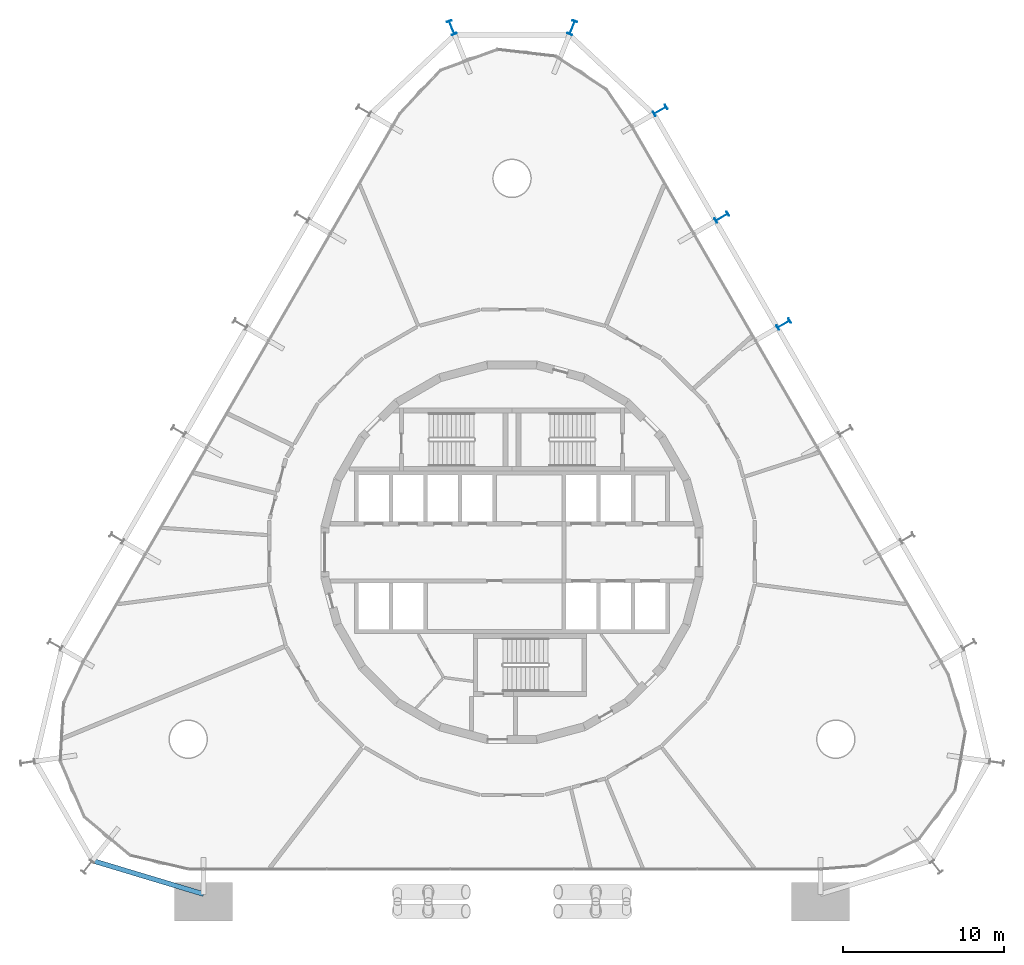
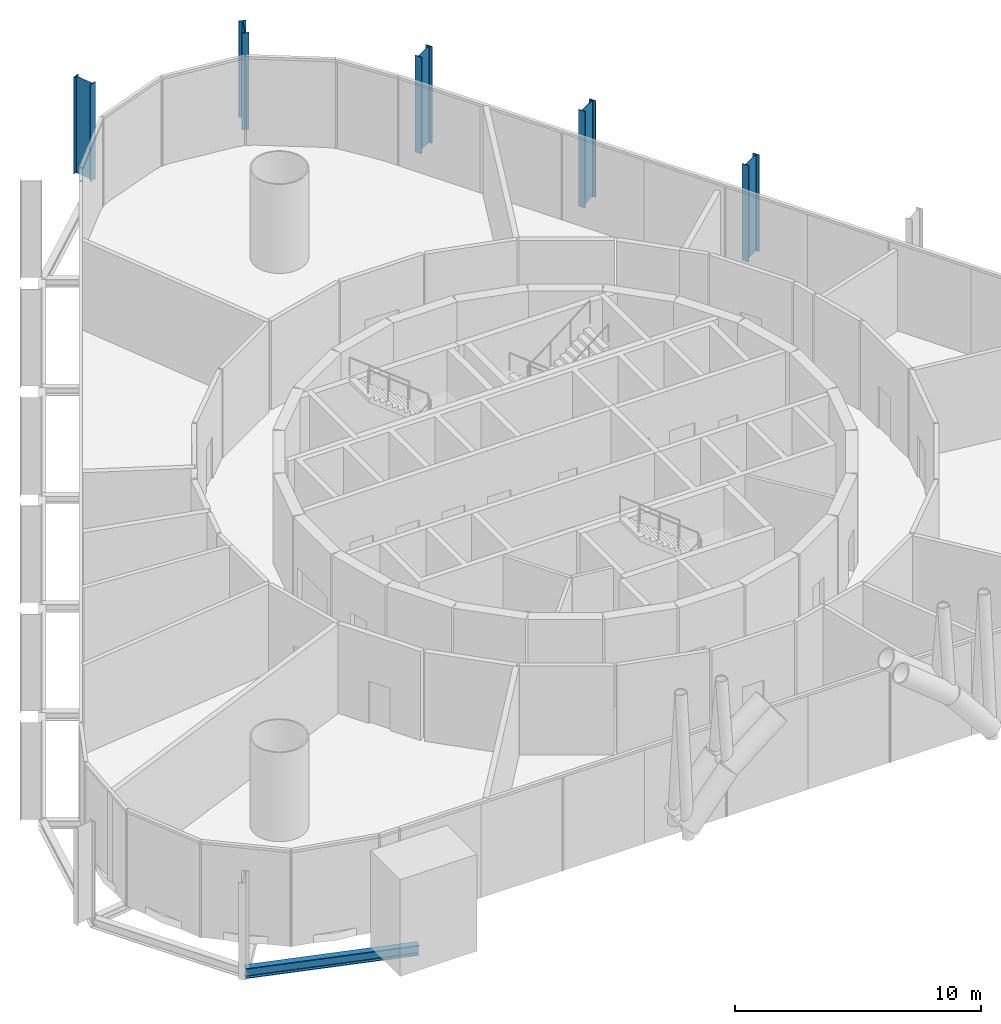
# One storey, part 2 of 17: 5 columns, 1 beam.
"""IFC4 building model written with IfcOpenShell, lengths in metres."""

from ifc_helpers import new_model, si_unit, direction, frame, origin, origin_2d, place, context, subcontext, project, spatial, i_section, extrude, material, material_profile, profile_set, type_object, element, save


model = new_model("IFC4")

# Units and contexts
model_context = context("Model", 3, precision=1e-05, world=origin(), true_north=direction((0.0, 1.0)))
body_context = subcontext(model_context, "Body", "Model", "MODEL_VIEW")
ifc_project = project(units=[si_unit("LENGTHUNIT", "METRE"), si_unit("AREAUNIT", "SQUARE_METRE"), si_unit("VOLUMEUNIT", "CUBIC_METRE"), si_unit("PLANEANGLEUNIT", "RADIAN"), si_unit("MASSUNIT", "GRAM", prefix="KILO")], contexts=[model_context])

# Site, building, storey
site_placement = place(None, origin())
site = spatial("IfcSite", under=ifc_project, at=site_placement, CompositionType="ELEMENT")
building_placement = place(site_placement, origin())
building = spatial("IfcBuilding", under=site, at=building_placement, Name="Spindle Arch Residences", CompositionType="ELEMENT")
storey_placement = place(building_placement, frame((0.0, 0.0, 23.39990234375)))
storey = spatial("IfcBuildingStorey", under=building, at=storey_placement, Name="L04", CompositionType="ELEMENT", Elevation=23.39990234375)

# Columns
ifc_material_1 = material(Name="Steel S460ML, intumescent coating R 240", Category="steel")
ifc_material_profile_1 = material_profile(ifc_material_1, i_section(OverallWidth=0.300048828125, OverallDepth=0.89990234375, WebThickness=0.0185546875, FlangeThickness=0.034912109375, FilletRadius=0.030029296875, at=origin_2d()), Name="HEB 900")
ifc_profile_set_1 = profile_set([ifc_material_profile_1], Name="Steel S460ML, intumescent coating R 240")
column_type = type_object("IfcColumnType", Name="Exoskeleton post HEB 900", PredefinedType="COLUMN", material=ifc_profile_set_1)
for number, where, z_axis, x_axis, name in (
    (1, (16.898681640625, 14.1904296875, -0.3798828125), (0.0, 0.0, 1.0), (0.50000017485, -0.866025302835, 0.0), "Exoskeleton post 9"),
    (2, (13.05859375, 20.841796875, -0.3798828125), (0.0, 0.0, 1.0), (0.50000017485, -0.866025302835, 0.0), "Exoskeleton post 10"),
    (3, (9.218505859375, 27.492919921875, -0.3798828125), (0.0, 0.0, 1.0), (0.50000017485, -0.866025302835, 0.0), "Exoskeleton post 11"),
    (4, (3.748291015625, 32.638671875, -0.3798828125), (0.0, 0.0, 1.0), (0.928589751246, -0.371107900591, 0.0), "Exoskeleton post 12"),
    (5, (-3.748291015625, 32.638671875, -0.3798828125), (0.0, 0.0, 1.0), (0.928589751246, 0.371107900591, 0.0), "Exoskeleton post 13"),
):
    element("IfcColumn", number, at=place(storey_placement, frame(where, z_axis=z_axis, x_axis=x_axis)), inside=storey, type_object=column_type, Name=name, PredefinedType="COLUMN", context=body_context, shape_type="SweptSolid", body=[
        extrude(i_section(OverallWidth=0.300048828125, OverallDepth=0.89990234375, WebThickness=0.0185546875, FlangeThickness=0.034912109375, FilletRadius=0.030029296875, at=origin_2d()), origin(), (0.0, 0.0, 1.0), 4.800048828125),
    ])

# Beam
ifc_material_2 = material(Name="Steel S460ML, intumescent coating R 120", Category="steel")
ifc_material_profile_2 = material_profile(ifc_material_2, i_section(OverallWidth=0.300048828125, OverallDepth=0.5, WebThickness=0.014404296875, FlangeThickness=0.028076171875, FilletRadius=0.027099609375, at=origin_2d()), Name="HEB 500")
ifc_profile_set_2 = profile_set([ifc_material_profile_2], Name="Steel S460ML, intumescent coating R 120")
beam_type = type_object("IfcBeamType", Name="Exoskeleton edge beam HEB 500", PredefinedType="BEAM", material=ifc_profile_set_2)
beam_placement = place(storey_placement, frame((-26.119873046875, -19.177490234375, -0.6298828125), z_axis=(0.957564526429, -0.288218975303, 0.0), x_axis=(0.288218975303, 0.957564526429, 0.0)))
element("IfcBeam", 6, at=beam_placement, inside=storey, type_object=beam_type, Name="Exoskeleton edge beam 21", PredefinedType="BEAM", context=body_context, shape_type="SweptSolid", body=[
    extrude(i_section(OverallWidth=0.300048828125, OverallDepth=0.5, WebThickness=0.014404296875, FlangeThickness=0.028076171875, FilletRadius=0.027099609375, at=origin_2d()), origin(), (0.0, 0.0, 1.0), 7.25),
])

save(model, "model.ifc")
